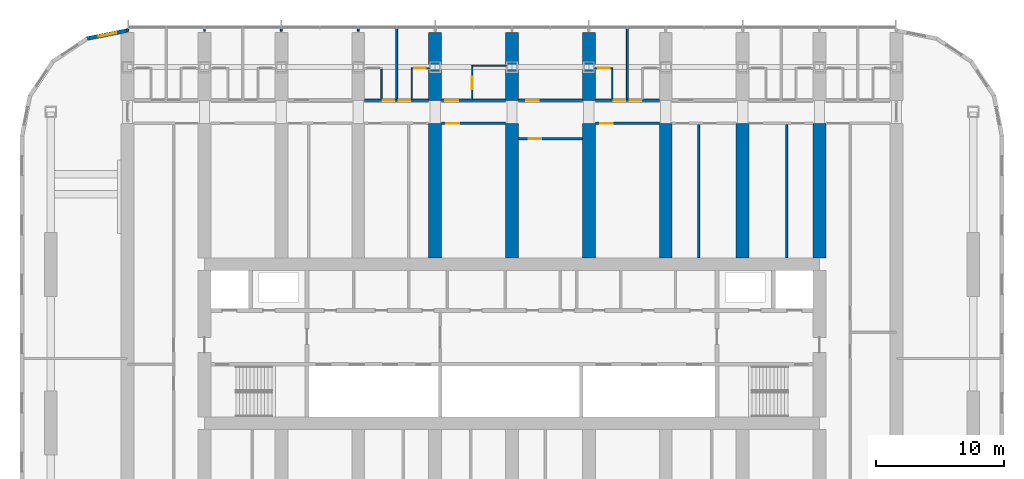
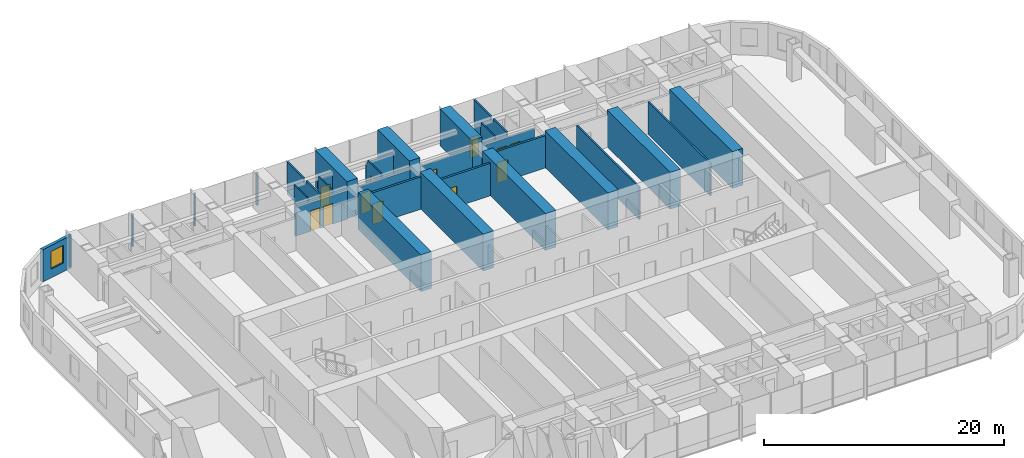
# One storey, part 16 of 24: 32 walls, 12 doors, 1 window, 13 openings.
"""IFC4 building model written with IfcOpenShell, lengths in metres."""

from ifc_helpers import new_model, si_unit, direction, frame, frame_2d, origin, place, context, subcontext, project, spatial, polyline, rectangle, outline, extrude, material, layer, layer_set, type_object, element, fill, save


model = new_model("IFC4")

# Units and contexts
model_context = context("Model", 3, precision=1e-05, world=origin(), true_north=direction((0.0, 1.0)))
body_context = subcontext(model_context, "Body", "Model", "MODEL_VIEW")
ifc_project = project(units=[si_unit("LENGTHUNIT", "METRE"), si_unit("AREAUNIT", "SQUARE_METRE"), si_unit("VOLUMEUNIT", "CUBIC_METRE"), si_unit("PLANEANGLEUNIT", "RADIAN"), si_unit("MASSUNIT", "GRAM", prefix="KILO")], contexts=[model_context])

# Site, building, storey
site_placement = place(None, origin())
site = spatial("IfcSite", under=ifc_project, at=site_placement, CompositionType="ELEMENT")
building_placement = place(site_placement, origin())
building = spatial("IfcBuilding", under=site, at=building_placement, Name="Orbita Commons", CompositionType="ELEMENT")
storey_placement = place(building_placement, frame((0.0, 0.0, 20.199951171875)))
storey = spatial("IfcBuildingStorey", under=building, at=storey_placement, Name="L04", CompositionType="ELEMENT", Elevation=20.199951171875)

# Wall, openings, doors
ifc_material_1 = material(Name="Concrete blockwork", Category="masonry")
ifc_layer_1 = layer(ifc_material_1, 0.199951171875)
ifc_layer_set_1 = layer_set([ifc_layer_1], Name="Concrete blockwork")
wall_type_1 = type_object("IfcWallType", Name="Corridor wall 200 blockwork", PredefinedType="SOLIDWALL", material=ifc_layer_set_1)
wall_1_placement = place(storey_placement, frame((30.5, 51.0, 0.0), z_axis=(0.0, 0.0, 1.0), x_axis=(1.0, 0.0, 0.0)))
wall_1 = element("IfcWall", 1, at=wall_1_placement, inside=storey, type_object=wall_type_1, Name="Corridor wall 200 blockwork L04", PredefinedType="SOLIDWALL", context=body_context, shape_type="SweptSolid", body=[
    extrude(outline(polyline([(0.0, 0.0), (5.0, 0.0), (5.0, 2.900146484375), (0.0, 2.900146484375), (0.0, 0.0)])), frame((0.0, 0.10009765625, 0.0), z_axis=(0.0, -1.0, 0.0), x_axis=(1.0, 0.0, 0.0)), (0.0, 0.0, 1.0), 0.199951171875),
])
opening_1_placement = place(wall_1_placement, frame((1.425048828125, 0.0, 0.0)))
opening_1 = element("IfcOpeningElement", 2, at=opening_1_placement, cuts=wall_1, Name="Opening D11", PredefinedType="OPENING", context=body_context, shape_type="SweptSolid", body=[
    extrude(rectangle(XDim=0.89990234375, YDim=2.10009765625, at=frame_2d((0.449951171875, 1.050048828125))), frame((0.0, 0.10986328125, 0.0), z_axis=(0.0, -1.0, 0.0), x_axis=(1.0, 0.0, 0.0)), (0.0, 0.0, 1.0), 0.219970703125),
])
opening_2_placement = place(wall_1_placement, frame((2.675048828125, 0.0, 0.0)))
opening_2 = element("IfcOpeningElement", 3, at=opening_2_placement, cuts=wall_1, Name="Opening D11", PredefinedType="OPENING", context=body_context, shape_type="SweptSolid", body=[
    extrude(rectangle(XDim=0.89990234375, YDim=2.10009765625, at=frame_2d((0.449951171875, 1.050048828125))), frame((0.0, 0.10986328125, 0.0), z_axis=(0.0, -1.0, 0.0), x_axis=(1.0, 0.0, 0.0)), (0.0, 0.0, 1.0), 0.219970703125),
])
ifc_material_2 = material(Name="Steel-faced fire door leaf", Category="steel")
door_type_1 = type_object("IfcDoorType", Name="Corridor door 20 min 900x2100", OperationType="SINGLE_SWING_LEFT", PredefinedType="DOOR", material=ifc_material_2)
door_1_placement = place(opening_1_placement, origin())
door_1 = element("IfcDoor", 4, at=door_1_placement, inside=storey, type_object=door_type_1, Name="House bedroom L04-N06 door", OperationType="SINGLE_SWING_LEFT", OverallHeight=2.10009765625, OverallWidth=0.89990234375, PredefinedType="DOOR", context=body_context, shape_type="SweptSolid", body=[
    extrude(rectangle(XDim=0.89990234375, YDim=2.10009765625, at=frame_2d((0.449951171875, 1.050048828125))), frame((0.0, 0.02490234375, 0.0), z_axis=(0.0, -1.0, 0.0), x_axis=(1.0, 0.0, 0.0)), (0.0, 0.0, 1.0), 0.050048828125),
])
fill(opening_1, door_1)
door_2_placement = place(opening_2_placement, origin())
door_2 = element("IfcDoor", 5, at=door_2_placement, inside=storey, type_object=door_type_1, Name="House bedroom L04-N07 door", OperationType="SINGLE_SWING_LEFT", OverallHeight=2.10009765625, OverallWidth=0.89990234375, PredefinedType="DOOR", context=body_context, shape_type="SweptSolid", body=[
    extrude(rectangle(XDim=0.89990234375, YDim=2.10009765625, at=frame_2d((0.449951171875, 1.050048828125))), frame((0.0, 0.02490234375, 0.0), z_axis=(0.0, -1.0, 0.0), x_axis=(1.0, 0.0, 0.0)), (0.0, 0.0, 1.0), 0.050048828125),
])
fill(opening_2, door_2)

# Wall, opening, door
wall_2_placement = place(storey_placement, frame((36.5, 51.0, 0.0), z_axis=(0.0, 0.0, 1.0), x_axis=(1.0, 0.0, 0.0)))
wall_2 = element("IfcWall", 6, at=wall_2_placement, inside=storey, type_object=wall_type_1, Name="Corridor wall 200 blockwork L04", PredefinedType="SOLIDWALL", context=body_context, shape_type="SweptSolid", body=[
    extrude(outline(polyline([(0.0, 0.0), (5.0, 0.0), (5.0, 2.900146484375), (0.0, 2.900146484375), (0.0, 0.0)])), frame((0.0, 0.10009765625, 0.0), z_axis=(0.0, -1.0, 0.0), x_axis=(1.0, 0.0, 0.0)), (0.0, 0.0, 1.0), 0.199951171875),
])
opening_3_placement = place(wall_2_placement, frame((0.300048828125, 0.0, 0.0)))
opening_3 = element("IfcOpeningElement", 7, at=opening_3_placement, cuts=wall_2, Name="Opening D06", PredefinedType="OPENING", context=body_context, shape_type="SweptSolid", body=[
    extrude(rectangle(XDim=1.0, YDim=2.10009765625, at=frame_2d((0.5, 1.050048828125))), frame((0.0, 0.10986328125, 0.0), z_axis=(0.0, -1.0, 0.0), x_axis=(1.0, 0.0, 0.0)), (0.0, 0.0, 1.0), 0.219970703125),
])
ifc_material_3 = material(Name="Steel-faced fire door leaf", Category="steel")
door_type_2 = type_object("IfcDoorType", Name="Corridor door 20 min 1000x2100", OperationType="SINGLE_SWING_LEFT", PredefinedType="DOOR", material=ifc_material_3)
door_3_placement = place(opening_3_placement, origin())
door_3 = element("IfcDoor", 8, at=door_3_placement, inside=storey, type_object=door_type_2, Name="Accessible bedroom L04-N08 door", OperationType="SINGLE_SWING_LEFT", OverallHeight=2.10009765625, OverallWidth=1.0, PredefinedType="DOOR", context=body_context, shape_type="SweptSolid", body=[
    extrude(rectangle(XDim=1.0, YDim=2.10009765625, at=frame_2d((0.5, 1.050048828125))), frame((0.0, 0.02490234375, 0.0), z_axis=(0.0, -1.0, 0.0), x_axis=(1.0, 0.0, 0.0)), (0.0, 0.0, 1.0), 0.050048828125),
])
fill(opening_3, door_3)

wall_3_placement = place(storey_placement, frame((42.5, 51.0, 0.0), z_axis=(0.0, 0.0, 1.0), x_axis=(1.0, 0.0, 0.0)))
wall_3 = element("IfcWall", 9, at=wall_3_placement, inside=storey, type_object=wall_type_1, Name="Corridor wall 200 blockwork L04", PredefinedType="SOLIDWALL", context=body_context, shape_type="SweptSolid", body=[
    extrude(outline(polyline([(0.0, 0.0), (5.0, 0.0), (5.0, 2.900146484375), (0.0, 2.900146484375), (0.0, 0.0)])), frame((0.0, 0.10009765625, 0.0), z_axis=(0.0, -1.0, 0.0), x_axis=(1.0, 0.0, 0.0)), (0.0, 0.0, 1.0), 0.199951171875),
])
opening_4_placement = place(wall_3_placement, frame((0.60009765625, 0.0, 0.0)))
opening_4 = element("IfcOpeningElement", 10, at=opening_4_placement, cuts=wall_3, Name="Opening D06", PredefinedType="OPENING", context=body_context, shape_type="SweptSolid", body=[
    extrude(rectangle(XDim=1.0, YDim=2.10009765625, at=frame_2d((0.5, 1.050048828125))), frame((0.0, 0.10986328125, 0.0), z_axis=(0.0, -1.0, 0.0), x_axis=(1.0, 0.0, 0.0)), (0.0, 0.0, 1.0), 0.219970703125),
])
door_4_placement = place(opening_4_placement, origin())
door_4 = element("IfcDoor", 11, at=door_4_placement, inside=storey, type_object=door_type_2, Name="House kitchen-diner L04-N10 door", OperationType="SINGLE_SWING_LEFT", OverallHeight=2.10009765625, OverallWidth=1.0, PredefinedType="DOOR", context=body_context, shape_type="SweptSolid", body=[
    extrude(rectangle(XDim=1.0, YDim=2.10009765625, at=frame_2d((0.5, 1.050048828125))), frame((0.0, 0.02490234375, 0.0), z_axis=(0.0, -1.0, 0.0), x_axis=(1.0, 0.0, 0.0)), (0.0, 0.0, 1.0), 0.050048828125),
])
fill(opening_4, door_4)

# Wall, openings, doors
wall_4_placement = place(storey_placement, frame((48.5, 51.0, 0.0), z_axis=(0.0, 0.0, 1.0), x_axis=(1.0, 0.0, 0.0)))
wall_4 = element("IfcWall", 12, at=wall_4_placement, inside=storey, type_object=wall_type_1, Name="Corridor wall 200 blockwork L04", PredefinedType="SOLIDWALL", context=body_context, shape_type="SweptSolid", body=[
    extrude(outline(polyline([(0.0, 0.0), (5.0, 0.0), (5.0, 2.900146484375), (0.0, 2.900146484375), (0.0, 0.0)])), frame((0.0, 0.10009765625, 0.0), z_axis=(0.0, -1.0, 0.0), x_axis=(1.0, 0.0, 0.0)), (0.0, 0.0, 1.0), 0.199951171875),
])
opening_5_placement = place(wall_4_placement, frame((1.425048828125, 0.0, 0.0)))
opening_5 = element("IfcOpeningElement", 13, at=opening_5_placement, cuts=wall_4, Name="Opening D11", PredefinedType="OPENING", context=body_context, shape_type="SweptSolid", body=[
    extrude(rectangle(XDim=0.89990234375, YDim=2.10009765625, at=frame_2d((0.449951171875, 1.050048828125))), frame((0.0, 0.10986328125, 0.0), z_axis=(0.0, -1.0, 0.0), x_axis=(1.0, 0.0, 0.0)), (0.0, 0.0, 1.0), 0.219970703125),
])
opening_6_placement = place(wall_4_placement, frame((2.675048828125, 0.0, 0.0)))
opening_6 = element("IfcOpeningElement", 14, at=opening_6_placement, cuts=wall_4, Name="Opening D11", PredefinedType="OPENING", context=body_context, shape_type="SweptSolid", body=[
    extrude(rectangle(XDim=0.89990234375, YDim=2.10009765625, at=frame_2d((0.449951171875, 1.050048828125))), frame((0.0, 0.10986328125, 0.0), z_axis=(0.0, -1.0, 0.0), x_axis=(1.0, 0.0, 0.0)), (0.0, 0.0, 1.0), 0.219970703125),
])
door_5_placement = place(opening_5_placement, origin())
door_5 = element("IfcDoor", 15, at=door_5_placement, inside=storey, type_object=door_type_1, Name="House bedroom L04-N12 door", OperationType="SINGLE_SWING_LEFT", OverallHeight=2.10009765625, OverallWidth=0.89990234375, PredefinedType="DOOR", context=body_context, shape_type="SweptSolid", body=[
    extrude(rectangle(XDim=0.89990234375, YDim=2.10009765625, at=frame_2d((0.449951171875, 1.050048828125))), frame((0.0, 0.02490234375, 0.0), z_axis=(0.0, -1.0, 0.0), x_axis=(1.0, 0.0, 0.0)), (0.0, 0.0, 1.0), 0.050048828125),
])
fill(opening_5, door_5)
door_6_placement = place(opening_6_placement, origin())
door_6 = element("IfcDoor", 16, at=door_6_placement, inside=storey, type_object=door_type_1, Name="House bedroom L04-N13 door", OperationType="SINGLE_SWING_LEFT", OverallHeight=2.10009765625, OverallWidth=0.89990234375, PredefinedType="DOOR", context=body_context, shape_type="SweptSolid", body=[
    extrude(rectangle(XDim=0.89990234375, YDim=2.10009765625, at=frame_2d((0.449951171875, 1.050048828125))), frame((0.0, 0.02490234375, 0.0), z_axis=(0.0, -1.0, 0.0), x_axis=(1.0, 0.0, 0.0)), (0.0, 0.0, 1.0), 0.050048828125),
])
fill(opening_6, door_6)

# Wall, opening, door
ifc_material_4 = material(Name="Hollow concrete block 200", Category="concrete")
ifc_layer_2 = layer(ifc_material_4, 0.199951171875)
ifc_layer_set_2 = layer_set([ifc_layer_2], Name="Hollow concrete block 200")
wall_type_2 = type_object("IfcWallType", Name="Corridor wall 200 hollow concrete block", PredefinedType="SOLIDWALL", material=ifc_layer_set_2)
wall_5_placement = place(storey_placement, frame((36.5, 49.199951171875, 0.0), z_axis=(0.0, 0.0, 1.0), x_axis=(1.0, 0.0, 0.0)))
wall_5 = element("IfcWall", 17, at=wall_5_placement, inside=storey, type_object=wall_type_2, Name="Corridor wall 200 hollow concrete block L04", PredefinedType="SOLIDWALL", context=body_context, shape_type="SweptSolid", body=[
    extrude(rectangle(XDim=5.0, YDim=0.199951171875, at=frame_2d((2.5, 0.0))), origin(), (0.0, 0.0, 1.0), 3.300048828125),
])
opening_7_placement = place(wall_5_placement, frame((0.375, 0.0, 0.0)))
opening_7 = element("IfcOpeningElement", 18, at=opening_7_placement, cuts=wall_5, Name="Opening D06", PredefinedType="OPENING", context=body_context, shape_type="SweptSolid", body=[
    extrude(rectangle(XDim=1.0, YDim=2.10009765625, at=frame_2d((0.5, 1.050048828125))), frame((0.0, 0.10986328125, 0.0), z_axis=(0.0, -1.0, 0.0), x_axis=(1.0, 0.0, 0.0)), (0.0, 0.0, 1.0), 0.219970703125),
])
door_7_placement = place(opening_7_placement, origin())
door_7 = element("IfcDoor", 19, at=door_7_placement, inside=storey, type_object=door_type_2, Name="Refuse and recycling room L04-BDN36 door", OperationType="SINGLE_SWING_LEFT", OverallHeight=2.10009765625, OverallWidth=1.0, PredefinedType="DOOR", context=body_context, shape_type="SweptSolid", body=[
    extrude(rectangle(XDim=1.0, YDim=2.10009765625, at=frame_2d((0.5, 1.050048828125))), frame((0.0, 0.02490234375, 0.0), z_axis=(0.0, -1.0, 0.0), x_axis=(1.0, 0.0, 0.0)), (0.0, 0.0, 1.0), 0.050048828125),
])
fill(opening_7, door_7)

wall_6_placement = place(storey_placement, frame((48.5, 49.199951171875, 0.0), z_axis=(0.0, 0.0, 1.0), x_axis=(1.0, 0.0, 0.0)))
wall_6 = element("IfcWall", 20, at=wall_6_placement, inside=storey, type_object=wall_type_2, Name="Corridor wall 200 hollow concrete block L04", PredefinedType="SOLIDWALL", context=body_context, shape_type="SweptSolid", body=[
    extrude(rectangle(XDim=5.0, YDim=0.199951171875, at=frame_2d((2.5, 0.0))), origin(), (0.0, 0.0, 1.0), 3.300048828125),
])
opening_8_placement = place(wall_6_placement, frame((0.375, 0.0, 0.0)))
opening_8 = element("IfcOpeningElement", 21, at=opening_8_placement, cuts=wall_6, Name="Opening D06", PredefinedType="OPENING", context=body_context, shape_type="SweptSolid", body=[
    extrude(rectangle(XDim=1.0, YDim=2.10009765625, at=frame_2d((0.5, 1.050048828125))), frame((0.0, 0.10986328125, 0.0), z_axis=(0.0, -1.0, 0.0), x_axis=(1.0, 0.0, 0.0)), (0.0, 0.0, 1.0), 0.219970703125),
])
door_8_placement = place(opening_8_placement, origin())
door_8 = element("IfcDoor", 22, at=door_8_placement, inside=storey, type_object=door_type_2, Name="Store L04-BDN48 door", OperationType="SINGLE_SWING_LEFT", OverallHeight=2.10009765625, OverallWidth=1.0, PredefinedType="DOOR", context=body_context, shape_type="SweptSolid", body=[
    extrude(rectangle(XDim=1.0, YDim=2.10009765625, at=frame_2d((0.5, 1.050048828125))), frame((0.0, 0.02490234375, 0.0), z_axis=(0.0, -1.0, 0.0), x_axis=(1.0, 0.0, 0.0)), (0.0, 0.0, 1.0), 0.050048828125),
])
fill(opening_8, door_8)

wall_7_placement = place(storey_placement, frame((42.5, 48.0, 0.0), z_axis=(0.0, 0.0, 1.0), x_axis=(1.0, 0.0, 0.0)))
wall_7 = element("IfcWall", 23, at=wall_7_placement, inside=storey, type_object=wall_type_2, Name="Corridor wall 200 hollow concrete block L04", PredefinedType="SOLIDWALL", context=body_context, shape_type="SweptSolid", body=[
    extrude(rectangle(XDim=5.0, YDim=0.199951171875, at=frame_2d((2.5, 0.0))), origin(), (0.0, 0.0, 1.0), 3.300048828125),
])
opening_9_placement = place(wall_7_placement, frame((0.800048828125, 0.0, 0.0)))
opening_9 = element("IfcOpeningElement", 24, at=opening_9_placement, cuts=wall_7, Name="Opening D06", PredefinedType="OPENING", context=body_context, shape_type="SweptSolid", body=[
    extrude(rectangle(XDim=1.0, YDim=2.10009765625, at=frame_2d((0.5, 1.050048828125))), frame((0.0, 0.10986328125, 0.0), z_axis=(0.0, -1.0, 0.0), x_axis=(1.0, 0.0, 0.0)), (0.0, 0.0, 1.0), 0.219970703125),
])
door_9_placement = place(opening_9_placement, origin())
door_9 = element("IfcDoor", 25, at=door_9_placement, inside=storey, type_object=door_type_2, Name="Drying room L04-BDN42 door", OperationType="SINGLE_SWING_LEFT", OverallHeight=2.10009765625, OverallWidth=1.0, PredefinedType="DOOR", context=body_context, shape_type="SweptSolid", body=[
    extrude(rectangle(XDim=1.0, YDim=2.10009765625, at=frame_2d((0.5, 1.050048828125))), frame((0.0, 0.02490234375, 0.0), z_axis=(0.0, -1.0, 0.0), x_axis=(1.0, 0.0, 0.0)), (0.0, 0.0, 1.0), 0.050048828125),
])
fill(opening_9, door_9)

# Walls
ifc_material_5 = material(Name="Concrete C50/60", Category="concrete")
ifc_layer_3 = layer(ifc_material_5, 1.0)
ifc_layer_set_3 = layer_set([ifc_layer_3], Name="Concrete C50/60")
wall_type_3 = type_object("IfcWallType", Name="Cross wall 1000 C50/60", PredefinedType="SHEAR", material=ifc_layer_set_3)
wall_8_placement = place(storey_placement, frame((36.0, 51.0, 0.0), z_axis=(0.0, 0.0, 1.0), x_axis=(0.0, 1.0, 0.0)))
element("IfcWall", 26, at=wall_8_placement, inside=storey, type_object=wall_type_3, Name="Cross wall 7 north outer L04", PredefinedType="SHEAR", context=body_context, shape_type="SweptSolid", body=[
    extrude(rectangle(XDim=5.300048828125, YDim=1.0, at=frame_2d((2.64990234375, 0.0))), origin(), (0.0, 0.0, 1.0), 3.75),
])
wall_9_placement = place(storey_placement, frame((36.0, 38.699951171875, 0.0), z_axis=(0.0, 0.0, 1.0), x_axis=(0.0, 1.0, 0.0)))
element("IfcWall", 27, at=wall_9_placement, inside=storey, type_object=wall_type_3, Name="Cross wall 7 north inner L04", PredefinedType="SHEAR", context=body_context, shape_type="SweptSolid", body=[
    extrude(rectangle(XDim=10.5, YDim=1.0, at=frame_2d((5.25, 0.0))), origin(), (0.0, 0.0, 1.0), 3.75),
])
wall_10_placement = place(storey_placement, frame((42.0, 51.0, 0.0), z_axis=(0.0, 0.0, 1.0), x_axis=(0.0, 1.0, 0.0)))
element("IfcWall", 28, at=wall_10_placement, inside=storey, type_object=wall_type_3, Name="Cross wall 8 north outer L04", PredefinedType="SHEAR", context=body_context, shape_type="SweptSolid", body=[
    extrude(rectangle(XDim=5.300048828125, YDim=1.0, at=frame_2d((2.64990234375, 0.0))), origin(), (0.0, 0.0, 1.0), 3.75),
])
wall_11_placement = place(storey_placement, frame((42.0, 38.699951171875, 0.0), z_axis=(0.0, 0.0, 1.0), x_axis=(0.0, 1.0, 0.0)))
element("IfcWall", 29, at=wall_11_placement, inside=storey, type_object=wall_type_3, Name="Cross wall 8 north inner L04", PredefinedType="SHEAR", context=body_context, shape_type="SweptSolid", body=[
    extrude(rectangle(XDim=10.5, YDim=1.0, at=frame_2d((5.25, 0.0))), origin(), (0.0, 0.0, 1.0), 3.75),
])
wall_12_placement = place(storey_placement, frame((48.0, 51.0, 0.0), z_axis=(0.0, 0.0, 1.0), x_axis=(0.0, 1.0, 0.0)))
element("IfcWall", 30, at=wall_12_placement, inside=storey, type_object=wall_type_3, Name="Cross wall 9 north outer L04", PredefinedType="SHEAR", context=body_context, shape_type="SweptSolid", body=[
    extrude(rectangle(XDim=5.300048828125, YDim=1.0, at=frame_2d((2.64990234375, 0.0))), origin(), (0.0, 0.0, 1.0), 3.75),
])
for number, where, z_axis, x_axis, name in (
    (31, (48.0, 38.699951171875, 0.0), (0.0, 0.0, 1.0), (0.0, 1.0, 0.0), "Cross wall 9 north inner L04"),
    (32, (54.0, 38.699951171875, 0.0), (0.0, 0.0, 1.0), (0.0, 1.0, 0.0), "Cross wall 10 north inner L04"),
    (33, (60.0, 38.699951171875, 0.0), (0.0, 0.0, 1.0), (0.0, 1.0, 0.0), "Cross wall 11 north inner L04"),
    (34, (66.0, 38.699951171875, 0.0), (0.0, 0.0, 1.0), (0.0, 1.0, 0.0), "Cross wall 12 north inner L04"),
):
    element("IfcWall", number, at=place(storey_placement, frame(where, z_axis=z_axis, x_axis=x_axis)), inside=storey, type_object=wall_type_3, Name=name, PredefinedType="SHEAR", context=body_context, shape_type="SweptSolid", body=[
        extrude(rectangle(XDim=10.5, YDim=1.0, at=frame_2d((5.25, 0.0))), origin(), (0.0, 0.0, 1.0), 3.75),
    ])
ifc_material_6 = material(Name="Moisture-resistant plasterboard on steel studs", Category="steel")
ifc_layer_4 = layer(ifc_material_6, 0.10009765625)
ifc_layer_set_4 = layer_set([ifc_layer_4], Name="Moisture-resistant plasterboard on steel studs")
wall_type_4 = type_object("IfcWallType", Name="En-suite partition 100", PredefinedType="PARTITIONING", material=ifc_layer_set_4)
wall_13_placement = place(storey_placement, frame((31.824951171875, 53.449951171875, 0.0), z_axis=(0.0, 0.0, 1.0), x_axis=(0.0, -1.0, 0.0)))
element("IfcWall", 35, at=wall_13_placement, inside=storey, type_object=wall_type_4, Name="En-suite partition 100 L04", PredefinedType="PARTITIONING", context=body_context, shape_type="SweptSolid", body=[
    extrude(outline(polyline([(0.0, 0.0), (2.349853515625, 0.0), (2.35009765625, 2.900146484375), (2.302001953125, 2.900146484375), (2.300048828125, 3.300048828125), (0.052001953125, 3.300048828125), (0.050048828125, 2.900146484375), (0.0, 2.900146484375), (0.0, 0.0)])), frame((0.0, 0.050048828125, 0.0), z_axis=(0.0, -1.0, 0.0), x_axis=(1.0, 0.0, 0.0)), (0.0, 0.0, 1.0), 0.10009765625),
])

# Wall, opening, door
wall_14_placement = place(storey_placement, frame((34.125, 53.5, 0.0), z_axis=(0.0, 0.0, 1.0), x_axis=(1.0, 0.0, 0.0)))
wall_14 = element("IfcWall", 36, at=wall_14_placement, inside=storey, type_object=wall_type_4, Name="En-suite partition 100 L04", PredefinedType="PARTITIONING", context=body_context, shape_type="SweptSolid", body=[
    extrude(outline(polyline([(0.0, 0.0), (1.425048828125, 0.0), (1.425048828125, 2.900146484375), (0.0, 2.900146484375), (0.0, 0.0)])), frame((0.0, 0.050048828125, 0.0), z_axis=(0.0, -1.0, 0.0), x_axis=(1.0, 0.0, 0.0)), (0.0, 0.0, 1.0), 0.10009765625),
])
opening_10_placement = place(wall_14_placement, frame((0.237548828125, 0.0, 0.0)))
opening_10 = element("IfcOpeningElement", 37, at=opening_10_placement, cuts=wall_14, Name="Opening D09", PredefinedType="OPENING", context=body_context, shape_type="SweptSolid", body=[
    extrude(rectangle(XDim=0.89990234375, YDim=2.10009765625, at=frame_2d((0.449951171875, 1.050048828125))), frame((0.0, 0.06005859375, 0.0), z_axis=(0.0, -1.0, 0.0), x_axis=(1.0, 0.0, 0.0)), (0.0, 0.0, 1.0), 0.1201171875),
])
ifc_material_7 = material(Name="Laminated timber door leaf", Category="wood")
door_type_3 = type_object("IfcDoorType", Name="En-suite door 900x2100", OperationType="SINGLE_SWING_RIGHT", PredefinedType="DOOR", material=ifc_material_7)
door_10_placement = place(opening_10_placement, origin())
door_10 = element("IfcDoor", 38, at=door_10_placement, inside=storey, type_object=door_type_3, Name="En-suite L04-N07 door", OperationType="SINGLE_SWING_RIGHT", OverallHeight=2.10009765625, OverallWidth=0.89990234375, PredefinedType="DOOR", context=body_context, shape_type="SweptSolid", body=[
    extrude(rectangle(XDim=0.89990234375, YDim=2.10009765625, at=frame_2d((0.449951171875, 1.050048828125))), frame((0.0, 0.02490234375, 0.0), z_axis=(0.0, -1.0, 0.0), x_axis=(1.0, 0.0, 0.0)), (0.0, 0.0, 1.0), 0.050048828125),
])
fill(opening_10, door_10)

# Walls
wall_15_placement = place(storey_placement, frame((34.175048828125, 53.449951171875, 0.0), z_axis=(0.0, 0.0, 1.0), x_axis=(0.0, -1.0, 0.0)))
element("IfcWall", 39, at=wall_15_placement, inside=storey, type_object=wall_type_4, Name="En-suite partition 100 L04", PredefinedType="PARTITIONING", context=body_context, shape_type="SweptSolid", body=[
    extrude(outline(polyline([(0.0, 0.0), (2.349853515625, 0.0), (2.35009765625, 2.900146484375), (2.302001953125, 2.900146484375), (2.300048828125, 3.300048828125), (0.052001953125, 3.300048828125), (0.050048828125, 2.900146484375), (0.0, 2.900146484375), (0.0, 0.0)])), frame((0.0, 0.050048828125, 0.0), z_axis=(0.0, -1.0, 0.0), x_axis=(1.0, 0.0, 0.0)), (0.0, 0.0, 1.0), 0.10009765625),
])
wall_16_placement = place(storey_placement, frame((38.85009765625, 53.699951171875, 0.0), z_axis=(0.0, 0.0, 1.0), x_axis=(1.0, 0.0, 0.0)))
element("IfcWall", 40, at=wall_16_placement, inside=storey, type_object=wall_type_4, Name="En-suite partition 100 L04", PredefinedType="PARTITIONING", context=body_context, shape_type="SweptSolid", body=[
    extrude(outline(polyline([(0.0, 0.0), (2.699951171875, 0.0), (2.699951171875, 2.900146484375), (0.0, 2.900146484375), (0.0, 0.0)])), frame((0.0, 0.050048828125, 0.0), z_axis=(0.0, -1.0, 0.0), x_axis=(1.0, 0.0, 0.0)), (0.0, 0.0, 1.0), 0.10009765625),
])

# Wall, opening, door
wall_17_placement = place(storey_placement, frame((38.89990234375, 53.64990234375, 0.0), z_axis=(0.0, 0.0, 1.0), x_axis=(0.0, -1.0, 0.0)))
wall_17 = element("IfcWall", 41, at=wall_17_placement, inside=storey, type_object=wall_type_4, Name="En-suite partition 100 L04", PredefinedType="PARTITIONING", context=body_context, shape_type="SweptSolid", body=[
    extrude(outline(polyline([(0.0, 0.0), (2.5498046875, 0.0), (2.550048828125, 2.900146484375), (2.501953125, 2.900146484375), (2.5, 3.300048828125), (0.251953125, 3.300048828125), (0.25, 2.900146484375), (0.0, 2.900146484375), (0.0, 0.0)])), frame((0.0, 0.050048828125, 0.0), z_axis=(0.0, -1.0, 0.0), x_axis=(1.0, 0.0, 0.0)), (0.0, 0.0, 1.0), 0.10009765625),
])
opening_11_placement = place(wall_17_placement, frame((0.800048828125, 0.0, 0.0)))
opening_11 = element("IfcOpeningElement", 42, at=opening_11_placement, cuts=wall_17, Name="Opening D13", PredefinedType="OPENING", context=body_context, shape_type="SweptSolid", body=[
    extrude(rectangle(XDim=1.0, YDim=2.10009765625, at=frame_2d((0.5, 1.050048828125))), frame((0.0, 0.06005859375, 0.0), z_axis=(0.0, -1.0, 0.0), x_axis=(1.0, 0.0, 0.0)), (0.0, 0.0, 1.0), 0.1201171875),
])
ifc_material_8 = material(Name="Laminated timber door leaf", Category="wood")
door_type_4 = type_object("IfcDoorType", Name="En-suite door 1000x2100", OperationType="SINGLE_SWING_RIGHT", PredefinedType="DOOR", material=ifc_material_8)
door_11_placement = place(opening_11_placement, origin())
door_11 = element("IfcDoor", 43, at=door_11_placement, inside=storey, type_object=door_type_4, Name="Accessible shower room L04-N08 door", OperationType="SINGLE_SWING_RIGHT", OverallHeight=2.10009765625, OverallWidth=1.0, PredefinedType="DOOR", context=body_context, shape_type="SweptSolid", body=[
    extrude(rectangle(XDim=1.0, YDim=2.10009765625, at=frame_2d((0.5, 1.050048828125))), frame((0.0, 0.02490234375, 0.0), z_axis=(0.0, -1.0, 0.0), x_axis=(1.0, 0.0, 0.0)), (0.0, 0.0, 1.0), 0.050048828125),
])
fill(opening_11, door_11)

wall_18_placement = place(storey_placement, frame((48.449951171875, 53.5, 0.0), z_axis=(0.0, 0.0, 1.0), x_axis=(1.0, 0.0, 0.0)))
wall_18 = element("IfcWall", 44, at=wall_18_placement, inside=storey, type_object=wall_type_4, Name="En-suite partition 100 L04", PredefinedType="PARTITIONING", context=body_context, shape_type="SweptSolid", body=[
    extrude(outline(polyline([(0.0, 0.0), (1.425048828125, 0.0), (1.425048828125, 2.900146484375), (0.0, 2.900146484375), (0.0, 0.0)])), frame((0.0, 0.050048828125, 0.0), z_axis=(0.0, -1.0, 0.0), x_axis=(1.0, 0.0, 0.0)), (0.0, 0.0, 1.0), 0.10009765625),
])
opening_12_placement = place(wall_18_placement, frame((0.28759765625, 0.0, 0.0)))
opening_12 = element("IfcOpeningElement", 45, at=opening_12_placement, cuts=wall_18, Name="Opening D09", PredefinedType="OPENING", context=body_context, shape_type="SweptSolid", body=[
    extrude(rectangle(XDim=0.89990234375, YDim=2.10009765625, at=frame_2d((0.449951171875, 1.050048828125))), frame((0.0, 0.06005859375, 0.0), z_axis=(0.0, -1.0, 0.0), x_axis=(1.0, 0.0, 0.0)), (0.0, 0.0, 1.0), 0.1201171875),
])
door_12_placement = place(opening_12_placement, origin())
door_12 = element("IfcDoor", 46, at=door_12_placement, inside=storey, type_object=door_type_3, Name="En-suite L04-N12 door", OperationType="SINGLE_SWING_RIGHT", OverallHeight=2.10009765625, OverallWidth=0.89990234375, PredefinedType="DOOR", context=body_context, shape_type="SweptSolid", body=[
    extrude(rectangle(XDim=0.89990234375, YDim=2.10009765625, at=frame_2d((0.449951171875, 1.050048828125))), frame((0.0, 0.02490234375, 0.0), z_axis=(0.0, -1.0, 0.0), x_axis=(1.0, 0.0, 0.0)), (0.0, 0.0, 1.0), 0.050048828125),
])
fill(opening_12, door_12)

# Walls
wall_19_placement = place(storey_placement, frame((49.824951171875, 53.449951171875, 0.0), z_axis=(0.0, 0.0, 1.0), x_axis=(0.0, -1.0, 0.0)))
element("IfcWall", 47, at=wall_19_placement, inside=storey, type_object=wall_type_4, Name="En-suite partition 100 L04", PredefinedType="PARTITIONING", context=body_context, shape_type="SweptSolid", body=[
    extrude(outline(polyline([(0.0, 0.0), (2.349853515625, 0.0), (2.35009765625, 2.900146484375), (2.302001953125, 2.900146484375), (2.300048828125, 3.300048828125), (0.052001953125, 3.300048828125), (0.050048828125, 2.900146484375), (0.0, 2.900146484375), (0.0, 0.0)])), frame((0.0, 0.050048828125, 0.0), z_axis=(0.0, -1.0, 0.0), x_axis=(1.0, 0.0, 0.0)), (0.0, 0.0, 1.0), 0.10009765625),
])
ifc_material_9 = material(Name="Gypsum plasterboard on steel studs", Category="steel")
ifc_layer_5 = layer(ifc_material_9, 0.14990234375)
ifc_layer_set_5 = layer_set([ifc_layer_5], Name="Gypsum plasterboard on steel studs")
wall_type_5 = type_object("IfcWallType", Name="Partition 150 plasterboard", PredefinedType="PARTITIONING", material=ifc_layer_set_5)
for number, where, z_axis, x_axis, name in (
    (48, (56.56005859375, 38.699951171875, 0.0), (0.0, 0.0, 1.0), (0.0, 1.0, 0.0), "Partition 150 plasterboard L04"),
    (49, (63.429931640625, 38.699951171875, 0.0), (0.0, 0.0, 1.0), (0.0, 1.0, 0.0), "Partition 150 plasterboard L04"),
):
    element("IfcWall", number, at=place(storey_placement, frame(where, z_axis=z_axis, x_axis=x_axis)), inside=storey, type_object=wall_type_5, Name=name, PredefinedType="PARTITIONING", context=body_context, shape_type="SweptSolid", body=[
        extrude(rectangle(XDim=10.400146484375, YDim=0.14990234375, at=frame_2d((5.2001953125, 0.0))), origin(), (0.0, 0.0, 1.0), 3.300048828125),
    ])
wall_20_placement = place(storey_placement, frame((12.0, 56.39990234375, 0.0), z_axis=(0.0, 0.0, 1.0), x_axis=(0.0, 1.0, 0.0)))
element("IfcWall", 50, at=wall_20_placement, inside=storey, type_object=wall_type_5, Name="Partition 150 plasterboard L04", PredefinedType="PARTITIONING", context=body_context, shape_type="SweptSolid", body=[
    extrude(rectangle(XDim=0.22021484375, YDim=0.14990234375, at=frame_2d((0.110107421875, 0.0))), origin(), (0.0, 0.0, 1.0), 3.300048828125),
])
for number, where, z_axis, x_axis, name in (
    (51, (18.0, 56.39990234375, 0.0), (0.0, 0.0, 1.0), (0.0, 1.0, 0.0), "Partition 150 plasterboard L04"),
    (52, (24.0, 56.39990234375, 0.0), (0.0, 0.0, 1.0), (0.0, 1.0, 0.0), "Partition 150 plasterboard L04"),
    (53, (30.0, 56.39990234375, 0.0), (0.0, 0.0, 1.0), (0.0, 1.0, 0.0), "Partition 150 plasterboard L04"),
):
    element("IfcWall", number, at=place(storey_placement, frame(where, z_axis=z_axis, x_axis=x_axis)), inside=storey, type_object=wall_type_5, Name=name, PredefinedType="PARTITIONING", context=body_context, shape_type="SweptSolid", body=[
        extrude(rectangle(XDim=0.190185546875, YDim=0.14990234375, at=frame_2d((0.09521484375, 0.0))), origin(), (0.0, 0.0, 1.0), 3.300048828125),
    ])
ifc_material_10 = material(Name="Gypsum plasterboard on steel studs", Category="steel")
ifc_layer_6 = layer(ifc_material_10, 0.14990234375)
ifc_layer_set_6 = layer_set([ifc_layer_6], Name="Gypsum plasterboard on steel studs")
wall_type_6 = type_object("IfcWallType", Name="Party wall 150 plasterboard", PredefinedType="PARTITIONING", material=ifc_layer_set_6)
for number, where, z_axis, x_axis, name in (
    (54, (33.0, 56.590087890625, 0.0), (0.0, 0.0, 1.0), (0.0, -1.0, 0.0), "Party wall 150 plasterboard L04"),
    (55, (51.0, 56.590087890625, 0.0), (0.0, 0.0, 1.0), (0.0, -1.0, 0.0), "Party wall 150 plasterboard L04"),
):
    element("IfcWall", number, at=place(storey_placement, frame(where, z_axis=z_axis, x_axis=x_axis)), inside=storey, type_object=wall_type_6, Name=name, PredefinedType="PARTITIONING", context=body_context, shape_type="SweptSolid", body=[
        extrude(outline(polyline([(0.0, 0.0), (5.489990234375, 0.0), (5.489990234375, 2.900146484375), (5.44189453125, 2.900146484375), (5.43994140625, 3.300048828125), (3.19189453125, 3.300048828125), (3.18994140625, 2.900146484375), (2.7919921875, 2.900146484375), (2.7900390625, 3.300048828125), (0.0, 3.300048828125), (0.0, 0.0)])), frame((0.0, 0.074951171875, 0.0), z_axis=(0.0, -1.0, 0.0), x_axis=(1.0, 0.0, 0.0)), (0.0, 0.0, 1.0), 0.14990234375),
    ])

# Wall, opening, window
ifc_material_11 = material(Name="Precast concrete C40/50, white board-marked finish", Category="concrete")
ifc_layer_7 = layer(ifc_material_11, 0.300048828125)
ifc_layer_set_7 = layer_set([ifc_layer_7], Name="Precast concrete C40/50, white board-marked finish")
wall_type_7 = type_object("IfcWallType", Name="Precast concrete end shield 300", PredefinedType="SOLIDWALL", material=ifc_layer_set_7)
wall_21_placement = place(storey_placement, frame((12.0, 56.449951171875, 0.0), z_axis=(0.0, 0.0, 1.0), x_axis=(-0.980787251524, -0.195080412259, 0.0)))
wall_21 = element("IfcWall", 56, at=wall_21_placement, inside=storey, type_object=wall_type_7, Name="End shield NW chord 1 L04", PredefinedType="SOLIDWALL", context=body_context, shape_type="SweptSolid", body=[
    extrude(outline(polyline([(-0.02978515625, -0.14990234375), (3.24853515625, -0.14990234375), (3.18896484375, 0.14990234375), (0.02978515625, 0.14990234375), (-0.02978515625, -0.14990234375)])), origin(), (0.0, 0.0, 1.0), 3.300048828125),
])
opening_13_placement = place(wall_21_placement, frame((0.909423828125, 0.0, 0.89990234375)))
opening_13 = element("IfcOpeningElement", 57, at=opening_13_placement, cuts=wall_21, Name="Opening W02", PredefinedType="OPENING", context=body_context, shape_type="SweptSolid", body=[
    extrude(rectangle(XDim=1.39990234375, YDim=1.800048828125, at=frame_2d((0.699951171875, 0.89990234375))), frame((0.0, 0.159912109375, 0.0), z_axis=(0.0, -1.0, 0.0), x_axis=(1.0, 0.0, 0.0)), (0.0, 0.0, 1.0), 0.320068359375),
])
ifc_material_12 = material(Name="Aluminium frame, clear double glazing", Category="aluminium")
window_type = type_object("IfcWindowType", Name="Deep-set window 1400x1800", PartitioningType="SINGLE_PANEL", PredefinedType="WINDOW", material=ifc_material_12)
window_placement = place(opening_13_placement, origin())
window = element("IfcWindow", 58, at=window_placement, inside=storey, type_object=window_type, Name="Window L04-NW0", OverallHeight=1.800048828125, OverallWidth=1.39990234375, PartitioningType="SINGLE_PANEL", PredefinedType="WINDOW", context=body_context, shape_type="SweptSolid", body=[
    extrude(rectangle(XDim=1.39990234375, YDim=1.800048828125, at=frame_2d((0.699951171875, 0.89990234375))), frame((0.0, 0.030029296875, 0.0), z_axis=(0.0, -1.0, 0.0), x_axis=(1.0, 0.0, 0.0)), (0.0, 0.0, 1.0), 0.06005859375),
])
fill(opening_13, window)

save(model, "model.ifc")
